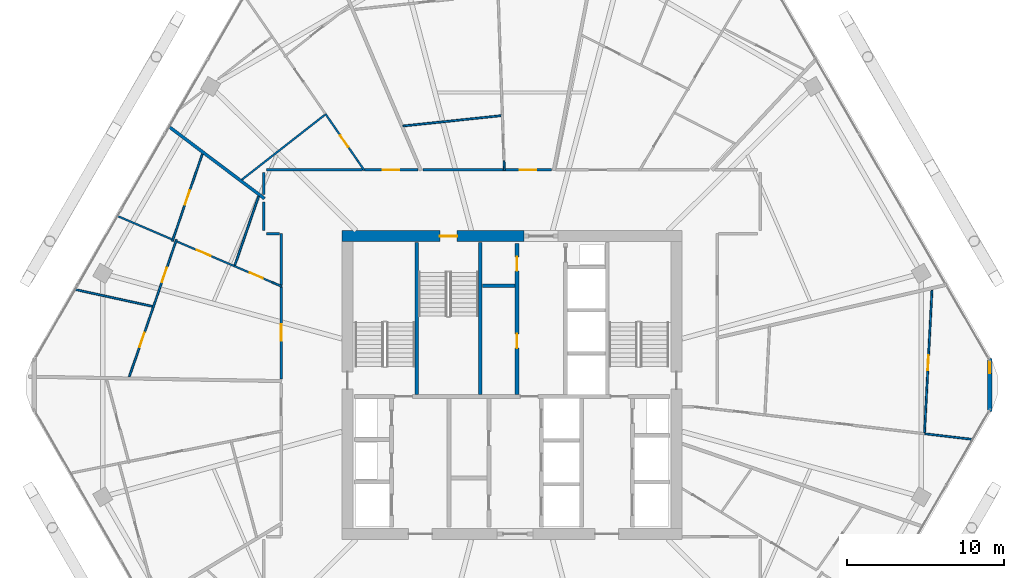
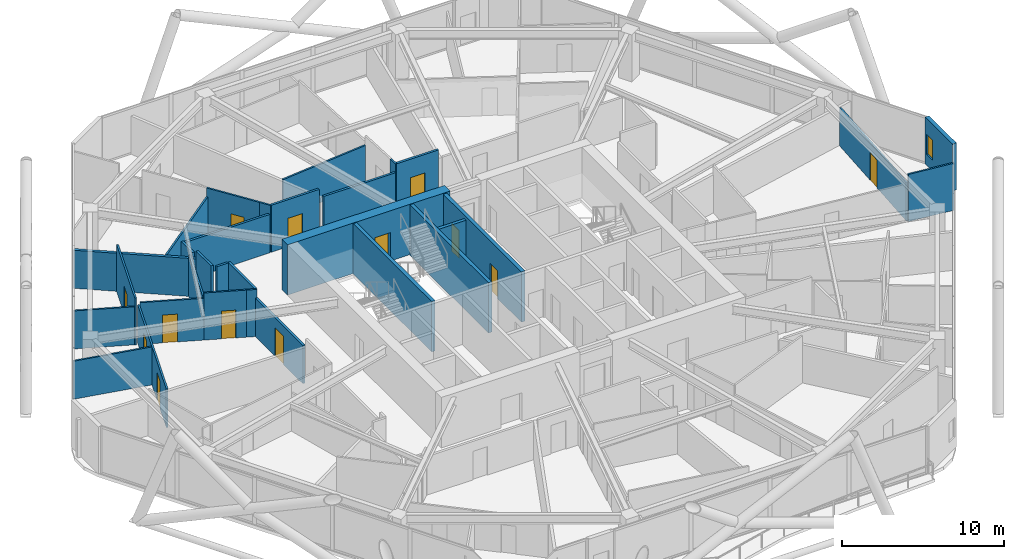
# One storey, part 24 of 28: 31 walls, 13 doors, 1 window, 14 openings.
"""IFC4 building model written with IfcOpenShell, lengths in metres."""

import ifcopenshell
import ifcopenshell.guid

model = None  # the IFC model being written
_history = None  # IfcOwnerHistory: only IFC2X3 demands one
_inside = {}  # id of a spatial element -> (the spatial element, [elements in it])
_under = {}  # id of a project, library or spatial element -> (it, [spatial elements below it])
_declared = {}  # id of a project -> (the project, [libraries it declares])
_typed = {}  # id of a type object -> (the type object, [elements of that type])
_made_of = {}  # id of a material, layer set ... -> (it, [elements and type objects made of it])


def new_model(schema):
    """Start an empty IFC model of exactly this schema.

    Asked for "IFC4X3", IfcOpenShell would pick the latest addendum, in which some entities
    have other attributes; the version numbers below select the first issue.
    IFC2X3 requires an IfcOwnerHistory on every rooted entity: one is made here for all.
    """
    global model, _history
    if schema == "IFC4X3":
        model = ifcopenshell.file(schema_version=(4, 3, 0, 0))
    else:
        model = ifcopenshell.file(schema=schema)
    _inside.clear()
    _under.clear()
    _declared.clear()
    _typed.clear()
    _made_of.clear()
    _history = None
    if model.schema == "IFC2X3":
        org = make("IfcOrganization", Name="unknown")
        user = make(
            "IfcPersonAndOrganization",
            ThePerson=make("IfcPerson", FamilyName="unknown"),
            TheOrganization=org,
        )
        app = make(
            "IfcApplication",
            ApplicationDeveloper=org,
            Version="unknown",
            ApplicationFullName="unknown",
            ApplicationIdentifier="unknown",
        )
        _history = make(
            "IfcOwnerHistory",
            OwningUser=user,
            OwningApplication=app,
            ChangeAction="ADDED",
            CreationDate=0,
        )
    return model


def make(cls, **values):
    """One entity of the class cls with the attributes given. An attribute that is None is left unset."""
    return model.create_entity(
        cls, **{name: value for name, value in values.items() if value is not None}
    )


def rooted(cls, **values):
    """An entity with a GlobalId (a new one), such as an element, a storey or a relation."""
    return make(cls, GlobalId=ifcopenshell.guid.new(), OwnerHistory=_history, **values)


def si_unit(unit_type, name, prefix=None):
    """IfcSIUnit, for example si_unit("LENGTHUNIT", "METRE", prefix="MILLI")."""
    return make("IfcSIUnit", UnitType=unit_type, Prefix=prefix, Name=name)


def assignment(units):
    """IfcUnitAssignment: the units of a project."""
    return None if units is None else make("IfcUnitAssignment", Units=units)


def point(xyz):
    """IfcCartesianPoint."""
    return None if xyz is None else make("IfcCartesianPoint", Coordinates=xyz)


def direction(xyz):
    """IfcDirection."""
    return None if xyz is None else make("IfcDirection", DirectionRatios=xyz)


def frame(location, z_axis=None, x_axis=None):
    """IfcAxis2Placement3D, a coordinate frame: its origin and axes. An axis left out is left unset."""
    return make(
        "IfcAxis2Placement3D",
        Location=point(location),
        Axis=direction(z_axis),
        RefDirection=direction(x_axis),
    )


def frame_2d(location, x_axis=None):
    """IfcAxis2Placement2D, a coordinate frame in the plane: its origin and x axis."""
    return make(
        "IfcAxis2Placement2D", Location=point(location), RefDirection=direction(x_axis)
    )


def origin():
    """The frame at (0, 0, 0) with its axes left unset."""
    return frame((0.0, 0.0, 0.0))


def place(relative_to, where):
    """IfcLocalPlacement: puts the frame where relative to a parent placement (None: the world)."""
    return make(
        "IfcLocalPlacement", PlacementRelTo=relative_to, RelativePlacement=where
    )


def context(
    kind, dimensions, precision=None, world=None, true_north=None, identifier=None
):
    """IfcGeometricRepresentationContext, for example the 3D "Model" context."""
    return make(
        "IfcGeometricRepresentationContext",
        ContextIdentifier=identifier,
        ContextType=kind,
        CoordinateSpaceDimension=dimensions,
        Precision=precision,
        WorldCoordinateSystem=world,
        TrueNorth=true_north,
    )


def subcontext(parent, identifier, kind, view, scale=None):
    """IfcGeometricRepresentationSubContext, for example "Body" below "Model"."""
    return make(
        "IfcGeometricRepresentationSubContext",
        ContextIdentifier=identifier,
        ContextType=kind,
        ParentContext=parent,
        TargetScale=scale,
        TargetView=view,
    )


def project(units=None, contexts=None):
    """IfcProject with its units and contexts."""
    return rooted(
        "IfcProject",
        Name="project",
        RepresentationContexts=contexts,
        UnitsInContext=assignment(units),
    )


def spatial(cls, under=None, at=None, **own):
    """A site, building, storey or space (cls), placed at a placement, below another one or the project."""
    s = rooted(cls, ObjectPlacement=at, **own)
    if under is not None:
        _under.setdefault(under.id(), (under, []))[1].append(s)
    return s


def profile(cls, at=None, kind="AREA", **sizes):
    """A parametric profile (cls). Its sizes go by their IFC names, for example OverallWidth=200.0."""
    return make(cls, ProfileType=kind, Position=at, **sizes)


def rectangle(**sizes):
    """IfcRectangleProfileDef."""
    return profile("IfcRectangleProfileDef", **sizes)


def extrude(swept, where, along, depth):
    """IfcExtrudedAreaSolid: the profile swept, set in the frame where, extruded along a direction by depth."""
    return make(
        "IfcExtrudedAreaSolid",
        SweptArea=swept,
        Position=where,
        ExtrudedDirection=direction(along),
        Depth=depth,
    )


def shape(context_of_items, identifier, shape_type, items):
    """IfcShapeRepresentation: the items that make up one representation, for example the "Body"."""
    return make(
        "IfcShapeRepresentation",
        ContextOfItems=context_of_items,
        RepresentationIdentifier=identifier,
        RepresentationType=shape_type,
        Items=items,
    )


def material(Name=None, Category=None):
    """IfcMaterial."""
    return make("IfcMaterial", Name=Name, Category=Category)


def layer(
    of_material, thickness, ventilated=None, Name=None, Category=None, Priority=None
):
    """IfcMaterialLayer: one layer of a wall or slab, of a material (None: an air gap)."""
    return make(
        "IfcMaterialLayer",
        Material=of_material,
        LayerThickness=thickness,
        IsVentilated=ventilated,
        Name=Name,
        Category=Category,
        Priority=Priority,
    )


def layer_set(layers, Name=None):
    """IfcMaterialLayerSet."""
    return make("IfcMaterialLayerSet", MaterialLayers=layers, LayerSetName=Name)


def made_of(thing, what):
    """Note that an element or type object is made of a material, layer set ...; save() writes the relation."""
    if what is not None:
        _made_of.setdefault(what.id(), (what, []))[1].append(thing)
    return thing


def type_object(cls, material=None, **own):
    """A type object (cls), such as IfcWallType, which elements share."""
    return made_of(rooted(cls, **own), material)


def element(
    cls,
    number,
    at=None,
    inside=None,
    cuts=None,
    type_object=None,
    material=None,
    context=None,
    identifier="Body",
    shape_type=None,
    held_by="IfcProductDefinitionShape",
    body=None,
    shapes=None,
    **own,
):
    """One element of the class cls, such as IfcWall. Its Tag is "e" and its number.

    at: its placement. inside: the storey or other place that contains it. cuts: it is an
    opening in that element (IfcRelVoidsElement). A single representation is given by context,
    identifier, shape_type and body (its items); several are given by shapes. held_by: the class
    of the entity that holds the representations. save() writes the other relations.
    """
    e = rooted(cls, Tag="e%d" % number, ObjectPlacement=at, **own)
    if body is not None:
        shapes = [shape(context, identifier, shape_type, body)]
    if shapes is not None:
        e.Representation = make(held_by, Representations=shapes)
    if inside is not None:
        _inside.setdefault(inside.id(), (inside, []))[1].append(e)
    if cuts is not None:
        rooted(
            "IfcRelVoidsElement", RelatingBuildingElement=cuts, RelatedOpeningElement=e
        )
    if type_object is not None:
        _typed.setdefault(type_object.id(), (type_object, []))[1].append(e)
    return made_of(e, material)


def fill(opening, filler):
    """IfcRelFillsElement: the door or window that sits in an opening."""
    return rooted(
        "IfcRelFillsElement",
        RelatingOpeningElement=opening,
        RelatedBuildingElement=filler,
    )


def aggregate(whole, parts):
    """IfcRelAggregates: a whole, such as a stair, and the parts it consists of."""
    return rooted("IfcRelAggregates", RelatingObject=whole, RelatedObjects=parts)


def save(model, path):
    """Write the relations noted so far, then the file.

    IfcRelAggregates (storeys below a building ...), IfcRelContainedInSpatialStructure (elements
    in a storey), IfcRelDefinesByType, IfcRelAssociatesMaterial and IfcRelDeclares: one each for
    every whole, place, type object, material and project.
    """
    for whole, parts in _under.values():
        aggregate(whole, parts)
    for where, things in _inside.values():
        rooted(
            "IfcRelContainedInSpatialStructure",
            RelatedElements=things,
            RelatingStructure=where,
        )
    for kind, things in _typed.values():
        rooted("IfcRelDefinesByType", RelatedObjects=things, RelatingType=kind)
    for what, things in _made_of.values():
        rooted("IfcRelAssociatesMaterial", RelatedObjects=things, RelatingMaterial=what)
    for by, libraries in _declared.values():
        rooted("IfcRelDeclares", RelatingContext=by, RelatedDefinitions=libraries)
    model.write(path)


model = new_model("IFC4")

# Units and contexts
model_context = context("Model", 3, precision=1e-05, world=origin(), true_north=direction((0.0, 1.0)))
body_context = subcontext(model_context, "Body", "Model", "MODEL_VIEW")
ifc_project = project(units=[si_unit("LENGTHUNIT", "METRE"), si_unit("AREAUNIT", "SQUARE_METRE"), si_unit("VOLUMEUNIT", "CUBIC_METRE"), si_unit("PLANEANGLEUNIT", "RADIAN"), si_unit("MASSUNIT", "GRAM", prefix="KILO")], contexts=[model_context])

# Site, building, storey
site_placement = place(None, origin())
site = spatial("IfcSite", under=ifc_project, at=site_placement, CompositionType="ELEMENT")
building_placement = place(site_placement, origin())
building = spatial("IfcBuilding", under=site, at=building_placement, Name="Zuhravey Tower", CompositionType="ELEMENT")
storey_placement = place(building_placement, frame((0.0, 0.0, 207.39990234375)))
storey = spatial("IfcBuildingStorey", under=building, at=storey_placement, Name="L52", CompositionType="ELEMENT", Elevation=207.39990234375)

# Wall, opening, door
ifc_material_1 = material(Name="Concrete C60/75", Category="concrete")
ifc_layer_1 = layer(ifc_material_1, 0.699951171875)
ifc_layer_set_1 = layer_set([ifc_layer_1], Name="Concrete C60/75")
wall_type_1 = type_object("IfcWallType", Name="Core Shear Wall 700", PredefinedType="SHEAR", material=ifc_layer_set_1)
wall_1_placement = place(storey_placement, frame((36.75, 41.5, 0.0), z_axis=(0.0, 0.0, 1.0), x_axis=(-1.0, 0.0, 0.0)))
wall_1 = element("IfcWall", 1, at=wall_1_placement, inside=storey, type_object=wall_type_1, Name="L52 North-West Core Shear Wall CW70", PredefinedType="SHEAR", context=body_context, shape_type="SweptSolid", body=[
    extrude(rectangle(XDim=11.60009765625, YDim=0.699951171875, at=frame_2d((5.800048828125, 0.0))), origin(), (0.0, 0.0, 1.0), 3.800048828125),
])
opening_1_placement = place(wall_1_placement, frame((4.25, 0.0, 0.0)))
opening_1 = element("IfcOpeningElement", 2, at=opening_1_placement, cuts=wall_1, Name="Opening STD1", PredefinedType="OPENING", context=body_context, shape_type="SweptSolid", body=[
    extrude(rectangle(XDim=1.10009765625, YDim=2.14990234375, at=frame_2d((0.550048828125, 1.074951171875))), frame((0.0, 0.362060546875, 0.0), z_axis=(0.0, -1.0, 0.0), x_axis=(1.0, 0.0, 0.0)), (0.0, 0.0, 1.0), 0.723876953125),
])
ifc_material_2 = material(Name="Galvanised fire-rated steel leaf", Category="steel")
door_type_1 = type_object("IfcDoorType", Name="Protected Stair Fire Door 1100x2150", OperationType="NOTDEFINED", PredefinedType="USERDEFINED", material=ifc_material_2)
door_1_placement = place(opening_1_placement, origin())
door_1 = element("IfcDoor", 3, at=door_1_placement, inside=storey, type_object=door_type_1, Name="L52 Stair ST3 Door", ObjectType="EXITDOOR", OperationType="SINGLE_SWING_LEFT", OverallHeight=2.14990234375, OverallWidth=1.10009765625, PredefinedType="USERDEFINED", context=body_context, shape_type="SweptSolid", body=[
    extrude(rectangle(XDim=1.10009765625, YDim=2.14990234375, at=frame_2d((0.550048828125, 1.074951171875))), frame((0.0, 0.02490234375, 0.0), z_axis=(0.0, -1.0, 0.0), x_axis=(1.0, 0.0, 0.0)), (0.0, 0.0, 1.0), 0.050048828125),
])
fill(opening_1, door_1)

ifc_material_3 = material(Name="Gypsum fire-rated stud partition")
ifc_layer_2 = layer(ifc_material_3, 0.159912109375)
ifc_layer_set_2 = layer_set([ifc_layer_2], Name="Gypsum fire-rated stud partition")
wall_type_2 = type_object("IfcWallType", Name="Corridor Fire Partition 160", PredefinedType="PARTITIONING", material=ifc_layer_set_2)
wall_2_placement = place(storey_placement, frame((38.5244140625, 45.72998046875, 0.0), z_axis=(0.0, 0.0, 1.0), x_axis=(-1.0, 0.0, 0.0)))
wall_2 = element("IfcWall", 4, at=wall_2_placement, inside=storey, type_object=wall_type_2, Name="L52 IW16 Partition 029", PredefinedType="PARTITIONING", context=body_context, shape_type="SweptSolid", body=[
    extrude(rectangle(XDim=2.993408203125, YDim=0.159912109375, at=frame_2d((1.49658203125, 0.0))), origin(), (0.0, 0.0, 1.0), 3.550048828125),
])
opening_2_placement = place(wall_2_placement, frame((0.9716796875, 0.0, 0.0)))
opening_2 = element("IfcOpeningElement", 5, at=opening_2_placement, cuts=wall_2, Name="Opening APD1", PredefinedType="OPENING", context=body_context, shape_type="SweptSolid", body=[
    extrude(rectangle(XDim=1.050048828125, YDim=2.14990234375, at=frame_2d((0.52490234375, 1.074951171875))), frame((0.0, 0.092041015625, 0.0), z_axis=(0.0, -1.0, 0.0), x_axis=(1.0, 0.0, 0.0)), (0.0, 0.0, 1.0), 0.183837890625),
])
ifc_material_4 = material(Name="Solid-core oak fire-rated leaf")
door_type_2 = type_object("IfcDoorType", Name="Apartment Entrance Fire Door 1050x2150", OperationType="NOTDEFINED", PredefinedType="DOOR", material=ifc_material_4)
door_2_placement = place(opening_2_placement, frame((1.050048828125, 0.0, 0.0), z_axis=(0.0, 0.0, 1.0), x_axis=(-1.0, 0.0, 0.0)))
door_2 = element("IfcDoor", 6, at=door_2_placement, inside=storey, type_object=door_type_2, Name="L52 Door 029.1", OperationType="SINGLE_SWING_RIGHT", OverallHeight=2.14990234375, OverallWidth=1.050048828125, PredefinedType="DOOR", context=body_context, shape_type="SweptSolid", body=[
    extrude(rectangle(XDim=1.050048828125, YDim=2.14990234375, at=frame_2d((0.52490234375, 1.074951171875))), frame((0.0, 0.02490234375, 0.0), z_axis=(0.0, -1.0, 0.0), x_axis=(1.0, 0.0, 0.0)), (0.0, 0.0, 1.0), 0.050048828125),
])
fill(opening_2, door_2)

wall_3_placement = place(storey_placement, frame((30.00830078125, 45.72998046875, 0.0), z_axis=(0.0, 0.0, 1.0), x_axis=(-1.0, 0.0, 0.0)))
wall_3 = element("IfcWall", 7, at=wall_3_placement, inside=storey, type_object=wall_type_2, Name="L52 IW16 Partition 035", PredefinedType="PARTITIONING", context=body_context, shape_type="SweptSolid", body=[
    extrude(rectangle(XDim=3.427490234375, YDim=0.159912109375, at=frame_2d((1.7138671875, 0.0))), origin(), (0.0, 0.0, 1.0), 3.550048828125),
])
opening_3_placement = place(wall_3_placement, frame((1.188720703125, 0.0, 0.0)))
opening_3 = element("IfcOpeningElement", 8, at=opening_3_placement, cuts=wall_3, Name="Opening APD1", PredefinedType="OPENING", context=body_context, shape_type="SweptSolid", body=[
    extrude(rectangle(XDim=1.050048828125, YDim=2.14990234375, at=frame_2d((0.52490234375, 1.074951171875))), frame((0.0, 0.092041015625, 0.0), z_axis=(0.0, -1.0, 0.0), x_axis=(1.0, 0.0, 0.0)), (0.0, 0.0, 1.0), 0.183837890625),
])
door_3_placement = place(opening_3_placement, frame((1.050048828125, 0.0, 0.0), z_axis=(0.0, 0.0, 1.0), x_axis=(-1.0, 0.0, 0.0)))
door_3 = element("IfcDoor", 9, at=door_3_placement, inside=storey, type_object=door_type_2, Name="L52 Door 035.1", OperationType="SINGLE_SWING_LEFT", OverallHeight=2.14990234375, OverallWidth=1.050048828125, PredefinedType="DOOR", context=body_context, shape_type="SweptSolid", body=[
    extrude(rectangle(XDim=1.050048828125, YDim=2.14990234375, at=frame_2d((0.52490234375, 1.074951171875))), frame((0.0, 0.02490234375, 0.0), z_axis=(0.0, -1.0, 0.0), x_axis=(1.0, 0.0, 0.0)), (0.0, 0.0, 1.0), 0.050048828125),
])
fill(opening_3, door_3)

wall_4_placement = place(storey_placement, frame((21.27001953125, 38.29150390625, 0.0), z_axis=(0.0, 0.0, 1.0), x_axis=(0.0, -1.0, 0.0)))
wall_4 = element("IfcWall", 10, at=wall_4_placement, inside=storey, type_object=wall_type_2, Name="L52 IW16 Partition 040", PredefinedType="PARTITIONING", context=body_context, shape_type="SweptSolid", body=[
    extrude(rectangle(XDim=5.8857421875, YDim=0.159912109375, at=frame_2d((2.94287109375, 0.0))), origin(), (0.0, 0.0, 1.0), 2.900146484375),
])
opening_4_placement = place(wall_4_placement, frame((2.41796875, 0.0, 0.0)))
opening_4 = element("IfcOpeningElement", 11, at=opening_4_placement, cuts=wall_4, Name="Opening APD1", PredefinedType="OPENING", context=body_context, shape_type="SweptSolid", body=[
    extrude(rectangle(XDim=1.050048828125, YDim=2.14990234375, at=frame_2d((0.52490234375, 1.074951171875))), frame((0.0, 0.092041015625, 0.0), z_axis=(0.0, -1.0, 0.0), x_axis=(1.0, 0.0, 0.0)), (0.0, 0.0, 1.0), 0.183837890625),
])
door_4_placement = place(opening_4_placement, frame((1.050048828125, 0.0, 0.0), z_axis=(0.0, 0.0, 1.0), x_axis=(-1.0, 0.0, 0.0)))
door_4 = element("IfcDoor", 12, at=door_4_placement, inside=storey, type_object=door_type_2, Name="L52 Door 040.1", OperationType="SINGLE_SWING_LEFT", OverallHeight=2.14990234375, OverallWidth=1.050048828125, PredefinedType="DOOR", context=body_context, shape_type="SweptSolid", body=[
    extrude(rectangle(XDim=1.050048828125, YDim=2.14990234375, at=frame_2d((0.52490234375, 1.074951171875))), frame((0.0, 0.02490234375, 0.0), z_axis=(0.0, -1.0, 0.0), x_axis=(1.0, 0.0, 0.0)), (0.0, 0.0, 1.0), 0.050048828125),
])
fill(opening_4, door_4)

# Walls
wall_5_placement = place(storey_placement, frame((35.44287109375, 45.72998046875, 0.0), z_axis=(0.0, 0.0, 1.0), x_axis=(-1.0, 0.0, 0.0)))
element("IfcWall", 13, at=wall_5_placement, inside=storey, type_object=wall_type_2, Name="L52 IW16 Partition 123", PredefinedType="PARTITIONING", context=body_context, shape_type="SweptSolid", body=[
    extrude(rectangle(XDim=5.1083984375, YDim=0.159912109375, at=frame_2d((2.55419921875, 0.0))), origin(), (0.0, 0.0, 1.0), 2.900146484375),
])
wall_6_placement = place(storey_placement, frame((26.47412109375, 45.72998046875, 0.0), z_axis=(0.0, 0.0, 1.0), x_axis=(-1.0, 0.0, 0.0)))
element("IfcWall", 14, at=wall_6_placement, inside=storey, type_object=wall_type_2, Name="L52 IW16 Partition 124", PredefinedType="PARTITIONING", context=body_context, shape_type="SweptSolid", body=[
    extrude(rectangle(XDim=6.1240234375, YDim=0.159912109375, at=frame_2d((3.06201171875, 0.0))), origin(), (0.0, 0.0, 1.0), 2.900146484375),
])
wall_7_placement = place(storey_placement, frame((20.169921875, 45.550048828125, 0.0), z_axis=(0.0, 0.0, 1.0), x_axis=(0.0, -1.0, 0.0)))
element("IfcWall", 15, at=wall_7_placement, inside=storey, type_object=wall_type_2, Name="L52 IW16 Partition 125", PredefinedType="PARTITIONING", context=body_context, shape_type="SweptSolid", body=[
    extrude(rectangle(XDim=1.3779296875, YDim=0.159912109375, at=frame_2d((0.68896484375, 0.0))), origin(), (0.0, 0.0, 1.0), 3.150146484375),
])
wall_8_placement = place(storey_placement, frame((21.27001953125, 41.669921875, 0.0), z_axis=(0.0, 0.0, 1.0), x_axis=(0.0, -1.0, 0.0)))
element("IfcWall", 16, at=wall_8_placement, inside=storey, type_object=wall_type_2, Name="L52 IW16 Partition 126", PredefinedType="PARTITIONING", context=body_context, shape_type="SweptSolid", body=[
    extrude(rectangle(XDim=3.28271484375, YDim=0.159912109375, at=frame_2d((1.641357421875, 0.0))), origin(), (0.0, 0.0, 1.0), 3.550048828125),
])
wall_9_placement = place(storey_placement, frame((20.169921875, 43.688720703125, 0.0), z_axis=(0.0, 0.0, 1.0), x_axis=(0.0, -1.0, 0.0)))
element("IfcWall", 17, at=wall_9_placement, inside=storey, type_object=wall_type_2, Name="L52 IW16 Partition 127", PredefinedType="PARTITIONING", context=body_context, shape_type="SweptSolid", body=[
    extrude(rectangle(XDim=1.838623046875, YDim=0.159912109375, at=frame_2d((0.91943359375, 0.0))), origin(), (0.0, 0.0, 1.0), 3.550048828125),
])
wall_10_placement = place(storey_placement, frame((20.35009765625, 41.669921875, 0.0), z_axis=(0.0, 0.0, 1.0), x_axis=(1.0, 0.0, 0.0)))
element("IfcWall", 18, at=wall_10_placement, inside=storey, type_object=wall_type_2, Name="L52 IW16 Partition 128", PredefinedType="PARTITIONING", context=body_context, shape_type="SweptSolid", body=[
    extrude(rectangle(XDim=0.831787109375, YDim=0.159912109375, at=frame_2d((0.416015625, 0.0))), origin(), (0.0, 0.0, 1.0), 3.550048828125),
])

# Wall, opening, window
ifc_material_5 = material(Name="Precast concrete C40/50", Category="concrete")
ifc_layer_3 = layer(ifc_material_5, 0.280029296875)
ifc_layer_set_3 = layer_set([ifc_layer_3], Name="Precast concrete C40/50")
wall_type_3 = type_object("IfcWallType", Name="Crown Architectural Wall 280", PredefinedType="SOLIDWALL", material=ifc_layer_set_3)
wall_11_placement = place(storey_placement, frame((66.4716796875, 33.6826171875, 0.0), z_axis=(0.0, 0.0, 1.0), x_axis=(0.0, -1.0, 0.0)))
wall_11 = element("IfcWall", 19, at=wall_11_placement, inside=storey, type_object=wall_type_3, Name="L52 Rounded Corner Closure Wall EW28-12", PredefinedType="SOLIDWALL", context=body_context, shape_type="SweptSolid", body=[
    extrude(rectangle(XDim=3.365234375, YDim=0.280029296875, at=frame_2d((1.6826171875, 0.0))), origin(), (0.0, 0.0, 1.0), 3.550048828125),
])
opening_5_placement = place(wall_11_placement, frame((0.17919921875, 0.0, 0.85009765625)))
opening_5 = element("IfcOpeningElement", 20, at=opening_5_placement, cuts=wall_11, Name="Opening WN5", PredefinedType="OPENING", context=body_context, shape_type="SweptSolid", body=[
    extrude(rectangle(XDim=0.75, YDim=1.5, at=frame_2d((0.375, 0.75))), frame((0.0, 0.152099609375, 0.0), z_axis=(0.0, -1.0, 0.0), x_axis=(1.0, 0.0, 0.0)), (0.0, 0.0, 1.0), 0.303955078125),
])
ifc_material_6 = material(Name="Thermally broken aluminium and triple low-E glass", Category="aluminium")
window_type = type_object("IfcWindowType", Name="Residential Corner Casement Window 750x1500", PartitioningType="SINGLE_PANEL", PredefinedType="WINDOW", material=ifc_material_6)
window_placement = place(opening_5_placement, origin())
window = element("IfcWindow", 21, at=window_placement, inside=storey, type_object=window_type, Name="L52 Corner Casement Window WN5-12.1", OverallHeight=1.5, OverallWidth=0.75, PartitioningType="SINGLE_PANEL", PredefinedType="WINDOW", context=body_context, shape_type="SweptSolid", body=[
    extrude(rectangle(XDim=0.75, YDim=1.5, at=frame_2d((0.375, 0.75))), frame((0.0, 0.030029296875, 0.0), z_axis=(0.0, -1.0, 0.0), x_axis=(1.0, 0.0, 0.0)), (0.0, 0.0, 1.0), 0.06005859375),
])
fill(opening_5, window)

# Walls
ifc_material_7 = material(Name="Concrete C50/60", Category="concrete")
ifc_layer_4 = layer(ifc_material_7, 0.25)
ifc_layer_set_4 = layer_set([ifc_layer_4], Name="Concrete C50/60")
wall_type_4 = type_object("IfcWallType", Name="Firefighting Shaft & Stair Wall 250", PredefinedType="SOLIDWALL", material=ifc_layer_set_4)
for number, where, z_axis, x_axis, name in (
    (22, (29.925048828125, 31.39990234375, 0.0), (0.0, 0.0, 1.0), (0.0, 1.0, 0.0), "L52 FW25 Shaft Wall 004"),
    (23, (33.97509765625, 31.39990234375, 0.0), (0.0, 0.0, 1.0), (0.0, 1.0, 0.0), "L52 FW25 Shaft Wall 005"),
):
    element("IfcWall", number, at=place(storey_placement, frame(where, z_axis=z_axis, x_axis=x_axis)), inside=storey, type_object=wall_type_4, Name=name, PredefinedType="SOLIDWALL", context=body_context, shape_type="SweptSolid", body=[
        extrude(rectangle(XDim=9.7001953125, YDim=0.25, at=frame_2d((4.85009765625, 0.0))), origin(), (0.0, 0.0, 1.0), 3.800048828125),
    ])

# Wall, openings, doors
wall_12_placement = place(storey_placement, frame((36.324951171875, 31.39990234375, 0.0), z_axis=(0.0, 0.0, 1.0), x_axis=(0.0, 1.0, 0.0)))
wall_12 = element("IfcWall", 24, at=wall_12_placement, inside=storey, type_object=wall_type_4, Name="L52 FW25 Shaft Wall 007", PredefinedType="SOLIDWALL", context=body_context, shape_type="SweptSolid", body=[
    extrude(rectangle(XDim=9.650146484375, YDim=0.25, at=frame_2d((4.8251953125, 0.0))), origin(), (0.0, 0.0, 1.0), 3.800048828125),
])
opening_6_placement = place(wall_12_placement, frame((2.965087890625, 0.0, 0.0)))
opening_6 = element("IfcOpeningElement", 25, at=opening_6_placement, cuts=wall_12, Name="Opening RSD1", PredefinedType="OPENING", context=body_context, shape_type="SweptSolid", body=[
    extrude(rectangle(XDim=0.89990234375, YDim=2.10009765625, at=frame_2d((0.449951171875, 1.050048828125))), frame((0.0, 0.136962890625, 0.0), z_axis=(0.0, -1.0, 0.0), x_axis=(1.0, 0.0, 0.0)), (0.0, 0.0, 1.0), 0.27392578125),
])
opening_7_placement = place(wall_12_placement, frame((7.885009765625, 0.0, 0.0)))
opening_7 = element("IfcOpeningElement", 26, at=opening_7_placement, cuts=wall_12, Name="Opening RSD1", PredefinedType="OPENING", context=body_context, shape_type="SweptSolid", body=[
    extrude(rectangle(XDim=0.89990234375, YDim=2.10009765625, at=frame_2d((0.449951171875, 1.050048828125))), frame((0.0, 0.136962890625, 0.0), z_axis=(0.0, -1.0, 0.0), x_axis=(1.0, 0.0, 0.0)), (0.0, 0.0, 1.0), 0.27392578125),
])
ifc_material_8 = material(Name="Galvanised fire-rated steel access leaf", Category="steel")
door_type_3 = type_object("IfcDoorType", Name="Riser & Shaft Access Fire Door 900x2100", OperationType="NOTDEFINED", PredefinedType="DOOR", material=ifc_material_8)
door_5_placement = place(opening_6_placement, origin())
door_5 = element("IfcDoor", 27, at=door_5_placement, inside=storey, type_object=door_type_3, Name="L52 Equipment and Refuse Store Door", OperationType="SINGLE_SWING_LEFT", OverallHeight=2.10009765625, OverallWidth=0.89990234375, PredefinedType="DOOR", context=body_context, shape_type="SweptSolid", body=[
    extrude(rectangle(XDim=0.89990234375, YDim=2.10009765625, at=frame_2d((0.449951171875, 1.050048828125))), frame((0.0, 0.02490234375, 0.0), z_axis=(0.0, -1.0, 0.0), x_axis=(1.0, 0.0, 0.0)), (0.0, 0.0, 1.0), 0.050048828125),
])
fill(opening_6, door_5)
door_6_placement = place(opening_7_placement, origin())
door_6 = element("IfcDoor", 28, at=door_6_placement, inside=storey, type_object=door_type_3, Name="L52 BMS Control Room Door", OperationType="SINGLE_SWING_RIGHT", OverallHeight=2.10009765625, OverallWidth=0.89990234375, PredefinedType="DOOR", context=body_context, shape_type="SweptSolid", body=[
    extrude(rectangle(XDim=0.89990234375, YDim=2.10009765625, at=frame_2d((0.449951171875, 1.050048828125))), frame((0.0, 0.02490234375, 0.0), z_axis=(0.0, -1.0, 0.0), x_axis=(1.0, 0.0, 0.0)), (0.0, 0.0, 1.0), 0.050048828125),
])
fill(opening_7, door_6)

# Walls
ifc_material_9 = material(Name="Gypsum double-stud party assembly")
ifc_layer_5 = layer(ifc_material_9, 0.199951171875)
ifc_layer_set_5 = layer_set([ifc_layer_5], Name="Gypsum double-stud party assembly")
wall_type_5 = type_object("IfcWallType", Name="Inter-Tenancy Party Wall 200", PredefinedType="PARTITIONING", material=ifc_layer_set_5)
wall_13_placement = place(storey_placement, frame((20.2099609375, 43.898681640625, 0.0), z_axis=(0.0, 0.0, 1.0), x_axis=(-0.798624602277, 0.601829497979, 0.0)))
element("IfcWall", 29, at=wall_13_placement, inside=storey, type_object=wall_type_5, Name="L52 IW20 Partition 090", PredefinedType="PARTITIONING", context=body_context, shape_type="SweptSolid", body=[
    extrude(rectangle(XDim=7.615966796875, YDim=0.199951171875, at=frame_2d((3.80810546875, 0.0))), origin(), (0.0, 0.0, 1.0), 2.8701171875),
])
ifc_material_10 = material(Name="Gypsum acoustic stud assembly")
ifc_layer_6 = layer(ifc_material_10, 0.219970703125)
ifc_layer_set_6 = layer_set([ifc_layer_6], Name="Gypsum acoustic stud assembly")
wall_type_6 = type_object("IfcWallType", Name="School Acoustic Compartment Wall 220", PredefinedType="PARTITIONING", material=ifc_layer_set_6)
wall_14_placement = place(storey_placement, frame((34.10791015625, 38.35009765625, 0.0), z_axis=(0.0, 0.0, 1.0), x_axis=(1.0, 0.0, 0.0)))
element("IfcWall", 30, at=wall_14_placement, inside=storey, type_object=wall_type_6, Name="L52 IW22 Partition 070", PredefinedType="PARTITIONING", context=body_context, shape_type="SweptSolid", body=[
    extrude(rectangle(XDim=2.083984375, YDim=0.219970703125, at=frame_2d((1.0419921875, 0.0))), origin(), (0.0, 0.0, 1.0), 3.550048828125),
])

# Wall, opening, door
ifc_material_11 = material(Name="Gypsum metal-stud partition")
ifc_layer_7 = layer(ifc_material_11, 0.1201171875)
ifc_layer_set_7 = layer_set([ifc_layer_7], Name="Gypsum metal-stud partition")
wall_type_7 = type_object("IfcWallType", Name="Unit Internal Partition 120", PredefinedType="PARTITIONING", material=ifc_layer_set_7)
wall_15_placement = place(storey_placement, frame((26.16455078125, 46.300048828125, 0.0), z_axis=(0.0, 0.0, 1.0), x_axis=(-0.566727772042, 0.823905111282, 0.0)))
wall_15 = element("IfcWall", 31, at=wall_15_placement, inside=storey, type_object=wall_type_7, Name="L52 IW12 Partition 031", PredefinedType="PARTITIONING", context=body_context, shape_type="SweptSolid", body=[
    extrude(rectangle(XDim=3.645263671875, YDim=0.1201171875, at=frame_2d((1.82275390625, 0.0))), origin(), (0.0, 0.0, 1.0), 3.550048828125),
])
opening_8_placement = place(wall_15_placement, frame((1.0810546875, 0.0, 0.0)))
opening_8 = element("IfcOpeningElement", 32, at=opening_8_placement, cuts=wall_15, Name="Opening WCD1", PredefinedType="OPENING", context=body_context, shape_type="SweptSolid", body=[
    extrude(rectangle(XDim=0.89990234375, YDim=2.10009765625, at=frame_2d((0.449951171875, 1.050048828125))), frame((0.0, 0.072021484375, 0.0), z_axis=(0.0, -1.0, 0.0), x_axis=(1.0, 0.0, 0.0)), (0.0, 0.0, 1.0), 0.14404296875),
])
ifc_material_12 = material(Name="Moisture-resistant timber leaf", Category="wood")
door_type_4 = type_object("IfcDoorType", Name="Bathroom & WC Internal Door 900x2100", OperationType="NOTDEFINED", PredefinedType="DOOR", material=ifc_material_12)
door_7_placement = place(opening_8_placement, origin())
door_7 = element("IfcDoor", 33, at=door_7_placement, inside=storey, type_object=door_type_4, Name="Apartment L52-03 Bathroom Door", OperationType="SINGLE_SWING_RIGHT", OverallHeight=2.10009765625, OverallWidth=0.89990234375, PredefinedType="DOOR", context=body_context, shape_type="SweptSolid", body=[
    extrude(rectangle(XDim=0.89990234375, YDim=2.10009765625, at=frame_2d((0.449951171875, 1.050048828125))), frame((0.0, 0.02490234375, 0.0), z_axis=(0.0, -1.0, 0.0), x_axis=(1.0, 0.0, 0.0)), (0.0, 0.0, 1.0), 0.050048828125),
])
fill(opening_8, door_7)

# Wall, openings, doors
wall_16_placement = place(storey_placement, frame((14.595703125, 41.28271484375, 0.0), z_axis=(0.0, 0.0, 1.0), x_axis=(-0.325558599515, -0.945521865576, 0.0)))
wall_16 = element("IfcWall", 34, at=wall_16_placement, inside=storey, type_object=wall_type_7, Name="L52 IW12 Partition 036", PredefinedType="PARTITIONING", context=body_context, shape_type="SweptSolid", body=[
    extrude(rectangle(XDim=9.2470703125, YDim=0.1201171875, at=frame_2d((4.62353515625, 0.0))), origin(), (0.0, 0.0, 1.0), 2.900146484375),
])
opening_9_placement = place(wall_16_placement, frame((1.906005859375, 0.0, 0.0)))
opening_9 = element("IfcOpeningElement", 35, at=opening_9_placement, cuts=wall_16, Name="Opening IND1", PredefinedType="OPENING", context=body_context, shape_type="SweptSolid", body=[
    extrude(rectangle(XDim=0.949951171875, YDim=2.10009765625, at=frame_2d((0.47509765625, 1.050048828125))), frame((0.0, 0.072021484375, 0.0), z_axis=(0.0, -1.0, 0.0), x_axis=(1.0, 0.0, 0.0)), (0.0, 0.0, 1.0), 0.14404296875),
])
opening_10_placement = place(wall_16_placement, frame((6.288818359375, 0.0, 0.0)))
opening_10 = element("IfcOpeningElement", 36, at=opening_10_placement, cuts=wall_16, Name="Opening IND1", PredefinedType="OPENING", context=body_context, shape_type="SweptSolid", body=[
    extrude(rectangle(XDim=0.949951171875, YDim=2.10009765625, at=frame_2d((0.47509765625, 1.050048828125))), frame((0.0, 0.072021484375, 0.0), z_axis=(0.0, -1.0, 0.0), x_axis=(1.0, 0.0, 0.0)), (0.0, 0.0, 1.0), 0.14404296875),
])
ifc_material_13 = material(Name="Painted engineered timber leaf", Category="wood")
door_type_5 = type_object("IfcDoorType", Name="Internal Room & Bedroom Door 950x2100", OperationType="NOTDEFINED", PredefinedType="DOOR", material=ifc_material_13)
door_8_placement = place(opening_9_placement, frame((0.949951171875, 0.0, 0.0), z_axis=(0.0, 0.0, 1.0), x_axis=(-1.0, 0.0, 0.0)))
door_8 = element("IfcDoor", 37, at=door_8_placement, inside=storey, type_object=door_type_5, Name="Apartment L52-04 Family Study Door", OperationType="SINGLE_SWING_RIGHT", OverallHeight=2.10009765625, OverallWidth=0.949951171875, PredefinedType="DOOR", context=body_context, shape_type="SweptSolid", body=[
    extrude(rectangle(XDim=0.949951171875, YDim=2.10009765625, at=frame_2d((0.47509765625, 1.050048828125))), frame((0.0, 0.02490234375, 0.0), z_axis=(0.0, -1.0, 0.0), x_axis=(1.0, 0.0, 0.0)), (0.0, 0.0, 1.0), 0.050048828125),
])
fill(opening_9, door_8)
door_9_placement = place(opening_10_placement, frame((0.949951171875, 0.0, 0.0), z_axis=(0.0, 0.0, 1.0), x_axis=(-1.0, 0.0, 0.0)))
door_9 = element("IfcDoor", 38, at=door_9_placement, inside=storey, type_object=door_type_5, Name="Apartment L52-04 Dining Room Door", OperationType="SINGLE_SWING_LEFT", OverallHeight=2.10009765625, OverallWidth=0.949951171875, PredefinedType="DOOR", context=body_context, shape_type="SweptSolid", body=[
    extrude(rectangle(XDim=0.949951171875, YDim=2.10009765625, at=frame_2d((0.47509765625, 1.050048828125))), frame((0.0, 0.02490234375, 0.0), z_axis=(0.0, -1.0, 0.0), x_axis=(1.0, 0.0, 0.0)), (0.0, 0.0, 1.0), 0.050048828125),
])
fill(opening_10, door_9)

# Wall, opening, door
wall_17_placement = place(storey_placement, frame((20.699951171875, 38.5576171875, 0.0), z_axis=(0.0, 0.0, 1.0), x_axis=(-0.919154606235, 0.393896953322, 0.0)))
wall_17 = element("IfcWall", 39, at=wall_17_placement, inside=storey, type_object=wall_type_7, Name="L52 IW12 Partition 037", PredefinedType="PARTITIONING", context=body_context, shape_type="SweptSolid", body=[
    extrude(rectangle(XDim=2.63720703125, YDim=0.1201171875, at=frame_2d((1.318603515625, 0.0))), origin(), (0.0, 0.0, 1.0), 3.550048828125),
])
opening_11_placement = place(wall_17_placement, frame((0.65771484375, 0.0, 0.0)))
opening_11 = element("IfcOpeningElement", 40, at=opening_11_placement, cuts=wall_17, Name="Opening WCD1", PredefinedType="OPENING", context=body_context, shape_type="SweptSolid", body=[
    extrude(rectangle(XDim=0.89990234375, YDim=2.10009765625, at=frame_2d((0.449951171875, 1.050048828125))), frame((0.0, 0.072021484375, 0.0), z_axis=(0.0, -1.0, 0.0), x_axis=(1.0, 0.0, 0.0)), (0.0, 0.0, 1.0), 0.14404296875),
])
door_10_placement = place(opening_11_placement, frame((0.89990234375, 0.0, 0.0), z_axis=(0.0, 0.0, 1.0), x_axis=(-1.0, 0.0, 0.0)))
door_10 = element("IfcDoor", 41, at=door_10_placement, inside=storey, type_object=door_type_4, Name="Apartment L52-04 Bathroom Door", OperationType="SINGLE_SWING_RIGHT", OverallHeight=2.10009765625, OverallWidth=0.89990234375, PredefinedType="DOOR", context=body_context, shape_type="SweptSolid", body=[
    extrude(rectangle(XDim=0.89990234375, YDim=2.10009765625, at=frame_2d((0.449951171875, 1.050048828125))), frame((0.0, 0.02490234375, 0.0), z_axis=(0.0, -1.0, 0.0), x_axis=(1.0, 0.0, 0.0)), (0.0, 0.0, 1.0), 0.050048828125),
])
fill(opening_11, door_10)

wall_18_placement = place(storey_placement, frame((18.27587890625, 39.596435546875, 0.0), z_axis=(0.0, 0.0, 1.0), x_axis=(-0.919125948941, 0.393963818115, 0.0)))
wall_18 = element("IfcWall", 42, at=wall_18_placement, inside=storey, type_object=wall_type_7, Name="L52 IW12 Partition 038", PredefinedType="PARTITIONING", context=body_context, shape_type="SweptSolid", body=[
    extrude(rectangle(XDim=3.970947265625, YDim=0.1201171875, at=frame_2d((1.9853515625, 0.0))), origin(), (0.0, 0.0, 1.0), 3.150146484375),
])
opening_12_placement = place(wall_18_placement, frame((1.642333984375, 0.0, 0.0)))
opening_12 = element("IfcOpeningElement", 43, at=opening_12_placement, cuts=wall_18, Name="Opening IND1", PredefinedType="OPENING", context=body_context, shape_type="SweptSolid", body=[
    extrude(rectangle(XDim=0.949951171875, YDim=2.10009765625, at=frame_2d((0.47509765625, 1.050048828125))), frame((0.0, 0.072021484375, 0.0), z_axis=(0.0, -1.0, 0.0), x_axis=(1.0, 0.0, 0.0)), (0.0, 0.0, 1.0), 0.14404296875),
])
door_11_placement = place(opening_12_placement, frame((0.949951171875, 0.0, 0.0), z_axis=(0.0, 0.0, 1.0), x_axis=(-1.0, 0.0, 0.0)))
door_11 = element("IfcDoor", 44, at=door_11_placement, inside=storey, type_object=door_type_5, Name="Apartment L52-04 Home Office Door", OperationType="SINGLE_SWING_LEFT", OverallHeight=2.10009765625, OverallWidth=0.949951171875, PredefinedType="DOOR", context=body_context, shape_type="SweptSolid", body=[
    extrude(rectangle(XDim=0.949951171875, YDim=2.10009765625, at=frame_2d((0.47509765625, 1.050048828125))), frame((0.0, 0.02490234375, 0.0), z_axis=(0.0, -1.0, 0.0), x_axis=(1.0, 0.0, 0.0)), (0.0, 0.0, 1.0), 0.050048828125),
])
fill(opening_12, door_11)

wall_19_placement = place(storey_placement, frame((16.243896484375, 46.7431640625, 0.0), z_axis=(0.0, 0.0, 1.0), x_axis=(-0.325548210575, -0.945525442593, 0.0)))
wall_19 = element("IfcWall", 45, at=wall_19_placement, inside=storey, type_object=wall_type_7, Name="L52 IW12 Partition 039", PredefinedType="PARTITIONING", context=body_context, shape_type="SweptSolid", body=[
    extrude(rectangle(XDim=5.884033203125, YDim=0.1201171875, at=frame_2d((2.94189453125, 0.0))), origin(), (0.0, 0.0, 1.0), 3.550048828125),
])
opening_13_placement = place(wall_19_placement, frame((2.467041015625, 0.0, 0.0)))
opening_13 = element("IfcOpeningElement", 46, at=opening_13_placement, cuts=wall_19, Name="Opening IND1", PredefinedType="OPENING", context=body_context, shape_type="SweptSolid", body=[
    extrude(rectangle(XDim=0.949951171875, YDim=2.10009765625, at=frame_2d((0.47509765625, 1.050048828125))), frame((0.0, 0.072021484375, 0.0), z_axis=(0.0, -1.0, 0.0), x_axis=(1.0, 0.0, 0.0)), (0.0, 0.0, 1.0), 0.14404296875),
])
door_12_placement = place(opening_13_placement, frame((0.949951171875, 0.0, 0.0), z_axis=(0.0, 0.0, 1.0), x_axis=(-1.0, 0.0, 0.0)))
door_12 = element("IfcDoor", 47, at=door_12_placement, inside=storey, type_object=door_type_5, Name="Apartment L52-04 Bedroom 1 Door", OperationType="SINGLE_SWING_RIGHT", OverallHeight=2.10009765625, OverallWidth=0.949951171875, PredefinedType="DOOR", context=body_context, shape_type="SweptSolid", body=[
    extrude(rectangle(XDim=0.949951171875, YDim=2.10009765625, at=frame_2d((0.47509765625, 1.050048828125))), frame((0.0, 0.02490234375, 0.0), z_axis=(0.0, -1.0, 0.0), x_axis=(1.0, 0.0, 0.0)), (0.0, 0.0, 1.0), 0.050048828125),
])
fill(opening_13, door_12)

wall_20_placement = place(storey_placement, frame((62.3173828125, 28.967529296875, 0.0), z_axis=(0.0, 0.0, 1.0), x_axis=(0.052336032443, 0.998629530761, 0.0)))
wall_20 = element("IfcWall", 48, at=wall_20_placement, inside=storey, type_object=wall_type_7, Name="L52 IW12 Partition 067", PredefinedType="PARTITIONING", context=body_context, shape_type="SweptSolid", body=[
    extrude(rectangle(XDim=9.087158203125, YDim=0.1201171875, at=frame_2d((4.54345703125, 0.0))), origin(), (0.0, 0.0, 1.0), 2.8701171875),
])
opening_14_placement = place(wall_20_placement, frame((3.984375, 0.0, 0.0)))
opening_14 = element("IfcOpeningElement", 49, at=opening_14_placement, cuts=wall_20, Name="Opening IND1", PredefinedType="OPENING", context=body_context, shape_type="SweptSolid", body=[
    extrude(rectangle(XDim=0.949951171875, YDim=2.10009765625, at=frame_2d((0.47509765625, 1.050048828125))), frame((0.0, 0.072021484375, 0.0), z_axis=(0.0, -1.0, 0.0), x_axis=(1.0, 0.0, 0.0)), (0.0, 0.0, 1.0), 0.14404296875),
])
door_13_placement = place(opening_14_placement, frame((0.949951171875, 0.0, 0.0), z_axis=(0.0, 0.0, 1.0), x_axis=(-1.0, 0.0, 0.0)))
door_13 = element("IfcDoor", 50, at=door_13_placement, inside=storey, type_object=door_type_5, Name="Apartment L52-10 Bedroom 1 Door", OperationType="SINGLE_SWING_RIGHT", OverallHeight=2.10009765625, OverallWidth=0.949951171875, PredefinedType="DOOR", context=body_context, shape_type="SweptSolid", body=[
    extrude(rectangle(XDim=0.949951171875, YDim=2.10009765625, at=frame_2d((0.47509765625, 1.050048828125))), frame((0.0, 0.02490234375, 0.0), z_axis=(0.0, -1.0, 0.0), x_axis=(1.0, 0.0, 0.0)), (0.0, 0.0, 1.0), 0.050048828125),
])
fill(opening_14, door_13)

# Walls
wall_21_placement = place(storey_placement, frame((35.512451171875, 45.68505859375, 0.0), z_axis=(0.0, 0.0, 1.0), x_axis=(-0.03570568138, 0.999362348859, 0.0)))
element("IfcWall", 51, at=wall_21_placement, inside=storey, type_object=wall_type_7, Name="L52 IW12 Partition 082", PredefinedType="PARTITIONING", context=body_context, shape_type="SweptSolid", body=[
    extrude(rectangle(XDim=0.615478515625, YDim=0.1201171875, at=frame_2d((0.3076171875, 0.0))), origin(), (0.0, 0.0, 1.0), 3.550048828125),
])
wall_22_placement = place(storey_placement, frame((35.319580078125, 49.190185546875, 0.0), z_axis=(0.0, 0.0, 1.0), x_axis=(-0.994519437571, -0.104551845005, 0.0)))
element("IfcWall", 52, at=wall_22_placement, inside=storey, type_object=wall_type_7, Name="L52 IW12 Partition 084", PredefinedType="PARTITIONING", context=body_context, shape_type="SweptSolid", body=[
    extrude(rectangle(XDim=6.3095703125, YDim=0.1201171875, at=frame_2d((3.15478515625, 0.0))), origin(), (0.0, 0.0, 1.0), 2.900146484375),
])
wall_23_placement = place(storey_placement, frame((26.580810546875, 45.69482421875, 0.0), z_axis=(0.0, 0.0, 1.0), x_axis=(-0.566683975736, 0.823935235103, 0.0)))
element("IfcWall", 53, at=wall_23_placement, inside=storey, type_object=wall_type_7, Name="L52 IW12 Partition 086", PredefinedType="PARTITIONING", context=body_context, shape_type="SweptSolid", body=[
    extrude(rectangle(XDim=0.734619140625, YDim=0.1201171875, at=frame_2d((0.3671875, 0.0))), origin(), (0.0, 0.0, 1.0), 3.550048828125),
])
wall_24_placement = place(storey_placement, frame((24.05908203125, 49.240966796875, 0.0), z_axis=(0.0, 0.0, 1.0), x_axis=(-0.78800895829, -0.615663773219, 0.0)))
element("IfcWall", 54, at=wall_24_placement, inside=storey, type_object=wall_type_7, Name="L52 IW12 Partition 088", PredefinedType="PARTITIONING", context=body_context, shape_type="SweptSolid", body=[
    extrude(rectangle(XDim=6.72314453125, YDim=0.1201171875, at=frame_2d((3.361572265625, 0.0))), origin(), (0.0, 0.0, 1.0), 2.900146484375),
])
wall_25_placement = place(storey_placement, frame((13.057373046875, 37.023193359375, 0.0), z_axis=(0.0, 0.0, 1.0), x_axis=(-0.976856341371, 0.21389644299, 0.0)))
element("IfcWall", 55, at=wall_25_placement, inside=storey, type_object=wall_type_7, Name="L52 IW12 Partition 091", PredefinedType="PARTITIONING", context=body_context, shape_type="SweptSolid", body=[
    extrude(rectangle(XDim=5.0712890625, YDim=0.1201171875, at=frame_2d((2.53564453125, 0.0))), origin(), (0.0, 0.0, 1.0), 2.8701171875),
])
wall_26_placement = place(storey_placement, frame((21.31298828125, 38.294921875, 0.0), z_axis=(0.0, 0.0, 1.0), x_axis=(-0.919163962833, 0.393875119079, 0.0)))
element("IfcWall", 56, at=wall_26_placement, inside=storey, type_object=wall_type_7, Name="L52 IW12 Partition 092", PredefinedType="PARTITIONING", context=body_context, shape_type="SweptSolid", body=[
    extrude(rectangle(XDim=0.6669921875, YDim=0.1201171875, at=frame_2d((0.33349609375, 0.0))), origin(), (0.0, 0.0, 1.0), 3.550048828125),
])
wall_27_placement = place(storey_placement, frame((14.29833984375, 41.30126953125, 0.0), z_axis=(0.0, 0.0, 1.0), x_axis=(-0.919128279921, 0.393958379845, 0.0)))
element("IfcWall", 57, at=wall_27_placement, inside=storey, type_object=wall_type_7, Name="L52 IW12 Partition 093", PredefinedType="PARTITIONING", context=body_context, shape_type="SweptSolid", body=[
    extrude(rectangle(XDim=3.769775390625, YDim=0.1201171875, at=frame_2d((1.884765625, 0.0))), origin(), (0.0, 0.0, 1.0), 2.8701171875),
])
wall_28_placement = place(storey_placement, frame((19.83447265625, 44.04638671875, 0.0), z_axis=(0.0, 0.0, 1.0), x_axis=(-0.325524485892, -0.945533610764, 0.0)))
element("IfcWall", 58, at=wall_28_placement, inside=storey, type_object=wall_type_7, Name="L52 IW12 Partition 094", PredefinedType="PARTITIONING", context=body_context, shape_type="SweptSolid", body=[
    extrude(rectangle(XDim=4.6484375, YDim=0.1201171875, at=frame_2d((2.32421875, 0.0))), origin(), (0.0, 0.0, 1.0), 3.150146484375),
])
wall_29_placement = place(storey_placement, frame((62.338623046875, 28.896484375, 0.0), z_axis=(0.0, 0.0, 1.0), x_axis=(0.99313759999, -0.116951731436, 0.0)))
element("IfcWall", 59, at=wall_29_placement, inside=storey, type_object=wall_type_7, Name="L52 IW12 Partition 119", PredefinedType="PARTITIONING", context=body_context, shape_type="SweptSolid", body=[
    extrude(rectangle(XDim=3.076904296875, YDim=0.1201171875, at=frame_2d((1.53857421875, 0.0))), origin(), (0.0, 0.0, 1.0), 3.550048828125),
])

save(model, "model.ifc")
